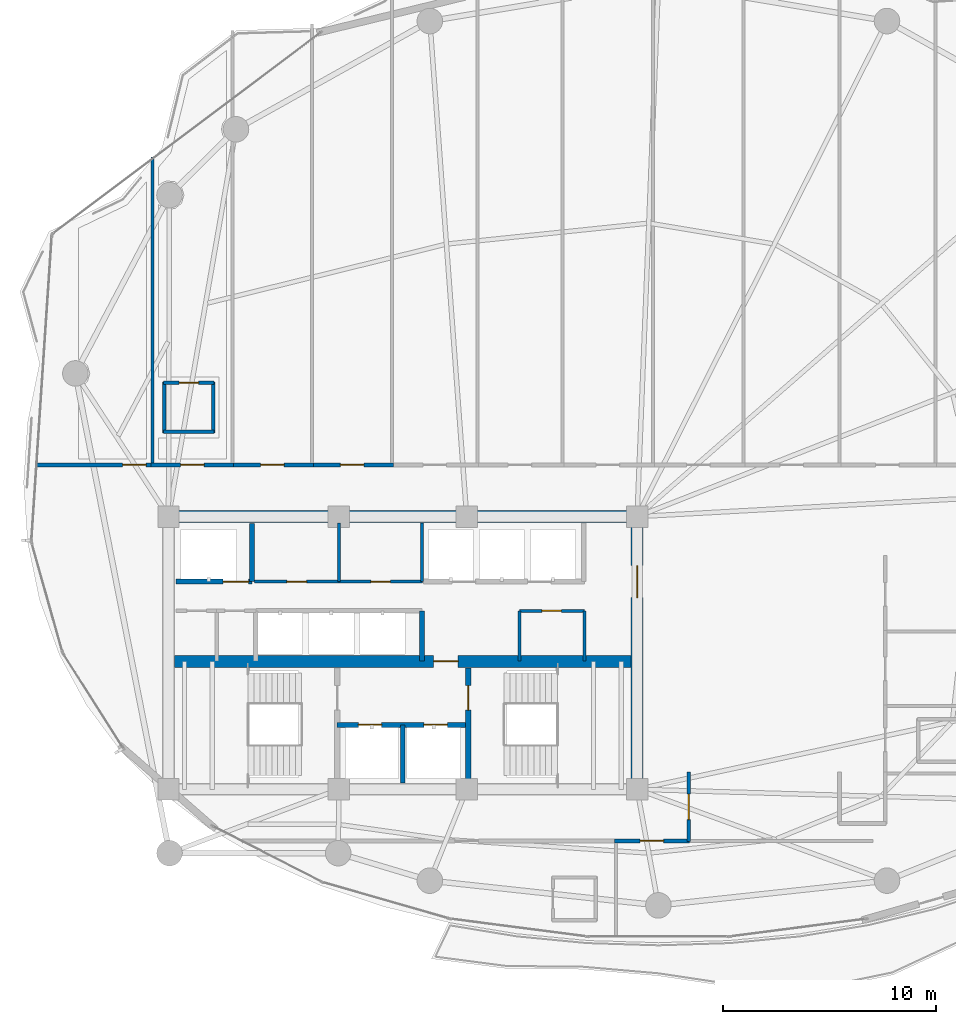
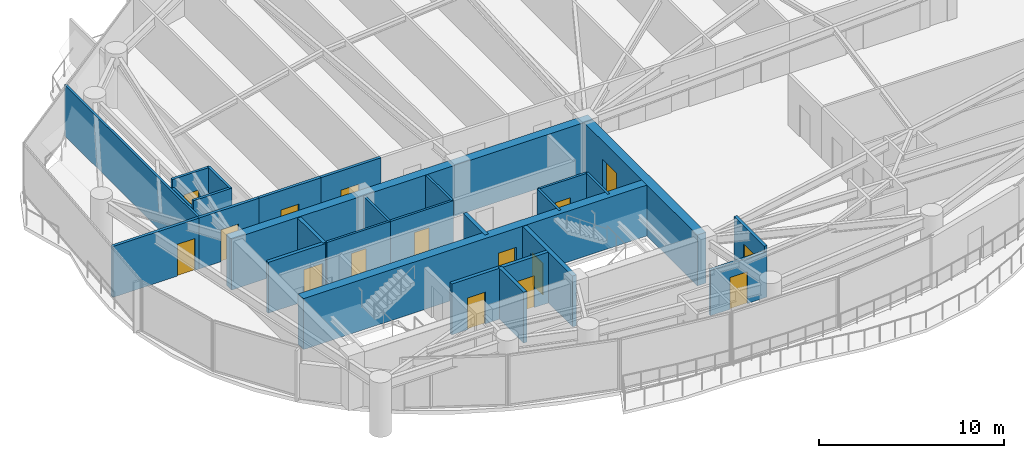
# One storey, part 25 of 31: 27 walls, 16 doors, 16 openings.
"""IFC4 building model written with IfcOpenShell, lengths in metres."""

import ifcopenshell
import ifcopenshell.guid

model = None  # the IFC model being written
_history = None  # IfcOwnerHistory: only IFC2X3 demands one
_inside = {}  # id of a spatial element -> (the spatial element, [elements in it])
_under = {}  # id of a project, library or spatial element -> (it, [spatial elements below it])
_declared = {}  # id of a project -> (the project, [libraries it declares])
_typed = {}  # id of a type object -> (the type object, [elements of that type])
_made_of = {}  # id of a material, layer set ... -> (it, [elements and type objects made of it])


def new_model(schema):
    """Start an empty IFC model of exactly this schema.

    Asked for "IFC4X3", IfcOpenShell would pick the latest addendum, in which some entities
    have other attributes; the version numbers below select the first issue.
    IFC2X3 requires an IfcOwnerHistory on every rooted entity: one is made here for all.
    """
    global model, _history
    if schema == "IFC4X3":
        model = ifcopenshell.file(schema_version=(4, 3, 0, 0))
    else:
        model = ifcopenshell.file(schema=schema)
    _inside.clear()
    _under.clear()
    _declared.clear()
    _typed.clear()
    _made_of.clear()
    _history = None
    if model.schema == "IFC2X3":
        org = make("IfcOrganization", Name="unknown")
        user = make(
            "IfcPersonAndOrganization",
            ThePerson=make("IfcPerson", FamilyName="unknown"),
            TheOrganization=org,
        )
        app = make(
            "IfcApplication",
            ApplicationDeveloper=org,
            Version="unknown",
            ApplicationFullName="unknown",
            ApplicationIdentifier="unknown",
        )
        _history = make(
            "IfcOwnerHistory",
            OwningUser=user,
            OwningApplication=app,
            ChangeAction="ADDED",
            CreationDate=0,
        )
    return model


def make(cls, **values):
    """One entity of the class cls with the attributes given. An attribute that is None is left unset."""
    return model.create_entity(
        cls, **{name: value for name, value in values.items() if value is not None}
    )


def rooted(cls, **values):
    """An entity with a GlobalId (a new one), such as an element, a storey or a relation."""
    return make(cls, GlobalId=ifcopenshell.guid.new(), OwnerHistory=_history, **values)


def si_unit(unit_type, name, prefix=None):
    """IfcSIUnit, for example si_unit("LENGTHUNIT", "METRE", prefix="MILLI")."""
    return make("IfcSIUnit", UnitType=unit_type, Prefix=prefix, Name=name)


def assignment(units):
    """IfcUnitAssignment: the units of a project."""
    return None if units is None else make("IfcUnitAssignment", Units=units)


def point(xyz):
    """IfcCartesianPoint."""
    return None if xyz is None else make("IfcCartesianPoint", Coordinates=xyz)


def direction(xyz):
    """IfcDirection."""
    return None if xyz is None else make("IfcDirection", DirectionRatios=xyz)


def frame(location, z_axis=None, x_axis=None):
    """IfcAxis2Placement3D, a coordinate frame: its origin and axes. An axis left out is left unset."""
    return make(
        "IfcAxis2Placement3D",
        Location=point(location),
        Axis=direction(z_axis),
        RefDirection=direction(x_axis),
    )


def frame_2d(location, x_axis=None):
    """IfcAxis2Placement2D, a coordinate frame in the plane: its origin and x axis."""
    return make(
        "IfcAxis2Placement2D", Location=point(location), RefDirection=direction(x_axis)
    )


def origin():
    """The frame at (0, 0, 0) with its axes left unset."""
    return frame((0.0, 0.0, 0.0))


def place(relative_to, where):
    """IfcLocalPlacement: puts the frame where relative to a parent placement (None: the world)."""
    return make(
        "IfcLocalPlacement", PlacementRelTo=relative_to, RelativePlacement=where
    )


def context(
    kind, dimensions, precision=None, world=None, true_north=None, identifier=None
):
    """IfcGeometricRepresentationContext, for example the 3D "Model" context."""
    return make(
        "IfcGeometricRepresentationContext",
        ContextIdentifier=identifier,
        ContextType=kind,
        CoordinateSpaceDimension=dimensions,
        Precision=precision,
        WorldCoordinateSystem=world,
        TrueNorth=true_north,
    )


def subcontext(parent, identifier, kind, view, scale=None):
    """IfcGeometricRepresentationSubContext, for example "Body" below "Model"."""
    return make(
        "IfcGeometricRepresentationSubContext",
        ContextIdentifier=identifier,
        ContextType=kind,
        ParentContext=parent,
        TargetScale=scale,
        TargetView=view,
    )


def project(units=None, contexts=None):
    """IfcProject with its units and contexts."""
    return rooted(
        "IfcProject",
        Name="project",
        RepresentationContexts=contexts,
        UnitsInContext=assignment(units),
    )


def spatial(cls, under=None, at=None, **own):
    """A site, building, storey or space (cls), placed at a placement, below another one or the project."""
    s = rooted(cls, ObjectPlacement=at, **own)
    if under is not None:
        _under.setdefault(under.id(), (under, []))[1].append(s)
    return s


def profile(cls, at=None, kind="AREA", **sizes):
    """A parametric profile (cls). Its sizes go by their IFC names, for example OverallWidth=200.0."""
    return make(cls, ProfileType=kind, Position=at, **sizes)


def rectangle(**sizes):
    """IfcRectangleProfileDef."""
    return profile("IfcRectangleProfileDef", **sizes)


def extrude(swept, where, along, depth):
    """IfcExtrudedAreaSolid: the profile swept, set in the frame where, extruded along a direction by depth."""
    return make(
        "IfcExtrudedAreaSolid",
        SweptArea=swept,
        Position=where,
        ExtrudedDirection=direction(along),
        Depth=depth,
    )


def shape(context_of_items, identifier, shape_type, items):
    """IfcShapeRepresentation: the items that make up one representation, for example the "Body"."""
    return make(
        "IfcShapeRepresentation",
        ContextOfItems=context_of_items,
        RepresentationIdentifier=identifier,
        RepresentationType=shape_type,
        Items=items,
    )


def material(Name=None, Category=None):
    """IfcMaterial."""
    return make("IfcMaterial", Name=Name, Category=Category)


def layer(
    of_material, thickness, ventilated=None, Name=None, Category=None, Priority=None
):
    """IfcMaterialLayer: one layer of a wall or slab, of a material (None: an air gap)."""
    return make(
        "IfcMaterialLayer",
        Material=of_material,
        LayerThickness=thickness,
        IsVentilated=ventilated,
        Name=Name,
        Category=Category,
        Priority=Priority,
    )


def layer_set(layers, Name=None):
    """IfcMaterialLayerSet."""
    return make("IfcMaterialLayerSet", MaterialLayers=layers, LayerSetName=Name)


def made_of(thing, what):
    """Note that an element or type object is made of a material, layer set ...; save() writes the relation."""
    if what is not None:
        _made_of.setdefault(what.id(), (what, []))[1].append(thing)
    return thing


def type_object(cls, material=None, **own):
    """A type object (cls), such as IfcWallType, which elements share."""
    return made_of(rooted(cls, **own), material)


def element(
    cls,
    number,
    at=None,
    inside=None,
    cuts=None,
    type_object=None,
    material=None,
    context=None,
    identifier="Body",
    shape_type=None,
    held_by="IfcProductDefinitionShape",
    body=None,
    shapes=None,
    **own,
):
    """One element of the class cls, such as IfcWall. Its Tag is "e" and its number.

    at: its placement. inside: the storey or other place that contains it. cuts: it is an
    opening in that element (IfcRelVoidsElement). A single representation is given by context,
    identifier, shape_type and body (its items); several are given by shapes. held_by: the class
    of the entity that holds the representations. save() writes the other relations.
    """
    e = rooted(cls, Tag="e%d" % number, ObjectPlacement=at, **own)
    if body is not None:
        shapes = [shape(context, identifier, shape_type, body)]
    if shapes is not None:
        e.Representation = make(held_by, Representations=shapes)
    if inside is not None:
        _inside.setdefault(inside.id(), (inside, []))[1].append(e)
    if cuts is not None:
        rooted(
            "IfcRelVoidsElement", RelatingBuildingElement=cuts, RelatedOpeningElement=e
        )
    if type_object is not None:
        _typed.setdefault(type_object.id(), (type_object, []))[1].append(e)
    return made_of(e, material)


def fill(opening, filler):
    """IfcRelFillsElement: the door or window that sits in an opening."""
    return rooted(
        "IfcRelFillsElement",
        RelatingOpeningElement=opening,
        RelatedBuildingElement=filler,
    )


def aggregate(whole, parts):
    """IfcRelAggregates: a whole, such as a stair, and the parts it consists of."""
    return rooted("IfcRelAggregates", RelatingObject=whole, RelatedObjects=parts)


def save(model, path):
    """Write the relations noted so far, then the file.

    IfcRelAggregates (storeys below a building ...), IfcRelContainedInSpatialStructure (elements
    in a storey), IfcRelDefinesByType, IfcRelAssociatesMaterial and IfcRelDeclares: one each for
    every whole, place, type object, material and project.
    """
    for whole, parts in _under.values():
        aggregate(whole, parts)
    for where, things in _inside.values():
        rooted(
            "IfcRelContainedInSpatialStructure",
            RelatedElements=things,
            RelatingStructure=where,
        )
    for kind, things in _typed.values():
        rooted("IfcRelDefinesByType", RelatedObjects=things, RelatingType=kind)
    for what, things in _made_of.values():
        rooted("IfcRelAssociatesMaterial", RelatedObjects=things, RelatingMaterial=what)
    for by, libraries in _declared.values():
        rooted("IfcRelDeclares", RelatingContext=by, RelatedDefinitions=libraries)
    model.write(path)


model = new_model("IFC4")

# Units and contexts
model_context = context("Model", 3, precision=1e-05, world=origin(), true_north=direction((0.0, 1.0)))
body_context = subcontext(model_context, "Body", "Model", "MODEL_VIEW")
ifc_project = project(units=[si_unit("LENGTHUNIT", "METRE"), si_unit("AREAUNIT", "SQUARE_METRE"), si_unit("VOLUMEUNIT", "CUBIC_METRE"), si_unit("PLANEANGLEUNIT", "RADIAN"), si_unit("MASSUNIT", "GRAM", prefix="KILO")], contexts=[model_context])

# Site, building, storey
site_placement = place(None, origin())
site = spatial("IfcSite", under=ifc_project, at=site_placement, CompositionType="ELEMENT")
building_placement = place(site_placement, origin())
building = spatial("IfcBuilding", under=site, at=building_placement, Name="Kazevale Care Tower and Concert Hall", CompositionType="ELEMENT")
storey_placement = place(building_placement, frame((0.0, 0.0, 124.199951171875)))
storey = spatial("IfcBuildingStorey", under=building, at=storey_placement, Name="L32", CompositionType="ELEMENT", Elevation=124.199951171875)

# Wall, opening, door
ifc_material_1 = material(Name="Acoustic Gypsum on Steel Stud", Category="steel")
ifc_layer_1 = layer(ifc_material_1, 0.139892578125)
ifc_layer_set_1 = layer_set([ifc_layer_1], Name="Acoustic Gypsum on Steel Stud")
wall_type_1 = type_object("IfcWallType", Name="Acoustic Care & Suite Partition 140", PredefinedType="PARTITIONING", material=ifc_layer_set_1)
wall_1_placement = place(storey_placement, frame((26.050048828125, 33.35009765625, 0.0), z_axis=(0.0, 0.0, 1.0), x_axis=(1.0, 0.0, 0.0)))
wall_1 = element("IfcWall", 1, at=wall_1_placement, inside=storey, type_object=wall_type_1, Name="wall:L32:c_rpl1_s", PredefinedType="PARTITIONING", context=body_context, shape_type="SweptSolid", body=[
    extrude(rectangle(XDim=3.949951171875, YDim=0.139892578125, at=frame_2d((1.97509765625, 0.0))), origin(), (0.0, 0.0, 1.0), 3.360107421875),
])
opening_1_placement = place(wall_1_placement, frame((1.514892578125, 0.0, 0.0)))
opening_1 = element("IfcOpeningElement", 2, at=opening_1_placement, cuts=wall_1, Name="Opening ID-900", PredefinedType="OPENING", context=body_context, shape_type="SweptSolid", body=[
    extrude(rectangle(XDim=0.919921875, YDim=2.10009765625, at=frame_2d((0.4599609375, 1.050048828125))), frame((0.0, 0.079833984375, 0.0), z_axis=(0.0, -1.0, 0.0), x_axis=(1.0, 0.0, 0.0)), (0.0, 0.0, 1.0), 0.159912109375),
])
ifc_material_2 = material(Name="Oak Timber Fire Leaf", Category="wood")
door_type_1 = type_object("IfcDoorType", Name="Bathroom & Service Door 920x2100", OperationType="NOTDEFINED", PredefinedType="DOOR", material=ifc_material_2)
door_1_placement = place(opening_1_placement, origin())
door_1 = element("IfcDoor", 3, at=door_1_placement, inside=storey, type_object=door_type_1, Name="door:L32:d_rpl1", OperationType="SINGLE_SWING_LEFT", OverallHeight=2.10009765625, OverallWidth=0.919921875, PredefinedType="DOOR", context=body_context, shape_type="SweptSolid", body=[
    extrude(rectangle(XDim=0.919921875, YDim=2.10009765625, at=frame_2d((0.4599609375, 1.050048828125))), frame((0.0, 0.02490234375, 0.0), z_axis=(0.0, -1.0, 0.0), x_axis=(1.0, 0.0, 0.0)), (0.0, 0.0, 1.0), 0.050048828125),
])
fill(opening_1, door_1)

wall_2_placement = place(storey_placement, frame((30.0, 33.35009765625, 0.0), z_axis=(0.0, 0.0, 1.0), x_axis=(1.0, 0.0, 0.0)))
wall_2 = element("IfcWall", 4, at=wall_2_placement, inside=storey, type_object=wall_type_1, Name="wall:L32:c_rpl2_s", PredefinedType="PARTITIONING", context=body_context, shape_type="SweptSolid", body=[
    extrude(rectangle(XDim=3.919921875, YDim=0.139892578125, at=frame_2d((1.9599609375, 0.0))), origin(), (0.0, 0.0, 1.0), 3.360107421875),
])
opening_2_placement = place(wall_2_placement, frame((1.5, 0.0, 0.0)))
opening_2 = element("IfcOpeningElement", 5, at=opening_2_placement, cuts=wall_2, Name="Opening ID-900", PredefinedType="OPENING", context=body_context, shape_type="SweptSolid", body=[
    extrude(rectangle(XDim=0.919921875, YDim=2.10009765625, at=frame_2d((0.4599609375, 1.050048828125))), frame((0.0, 0.079833984375, 0.0), z_axis=(0.0, -1.0, 0.0), x_axis=(1.0, 0.0, 0.0)), (0.0, 0.0, 1.0), 0.159912109375),
])
door_2_placement = place(opening_2_placement, origin())
door_2 = element("IfcDoor", 6, at=door_2_placement, inside=storey, type_object=door_type_1, Name="door:L32:d_rpl2", OperationType="SINGLE_SWING_RIGHT", OverallHeight=2.10009765625, OverallWidth=0.919921875, PredefinedType="DOOR", context=body_context, shape_type="SweptSolid", body=[
    extrude(rectangle(XDim=0.919921875, YDim=2.10009765625, at=frame_2d((0.4599609375, 1.050048828125))), frame((0.0, 0.02490234375, 0.0), z_axis=(0.0, -1.0, 0.0), x_axis=(1.0, 0.0, 0.0)), (0.0, 0.0, 1.0), 0.050048828125),
])
fill(opening_2, door_2)

# Walls
for number, where, z_axis, x_axis, name in (
    (7, (30.0, 33.35009765625, 0.0), (0.0, 0.0, 1.0), (0.0, 1.0, 0.0), "wall:L32:c_rpl_m"),
    (8, (33.89990234375, 33.35009765625, 0.0), (0.0, 0.0, 1.0), (0.0, 1.0, 0.0), "wall:L32:c_rpl_e"),
):
    element("IfcWall", number, at=place(storey_placement, frame(where, z_axis=z_axis, x_axis=x_axis)), inside=storey, type_object=wall_type_1, Name=name, PredefinedType="PARTITIONING", context=body_context, shape_type="SweptSolid", body=[
        extrude(rectangle(XDim=2.75, YDim=0.139892578125, at=frame_2d((1.375, 0.0))), origin(), (0.0, 0.0, 1.0), 3.360107421875),
    ])
for number, where, z_axis, x_axis, name in (
    (9, (38.47998046875, 29.6201171875, 0.0), (0.0, 0.0, 1.0), (0.0, 1.0, 0.0), "wall:L32:kb_ew"),
    (10, (41.52001953125, 29.6201171875, 0.0), (0.0, 0.0, 1.0), (0.0, 1.0, 0.0), "wall:L32:kb_ee"),
):
    element("IfcWall", number, at=place(storey_placement, frame(where, z_axis=z_axis, x_axis=x_axis)), inside=storey, type_object=wall_type_1, Name=name, PredefinedType="PARTITIONING", context=body_context, shape_type="SweptSolid", body=[
        extrude(rectangle(XDim=2.35986328125, YDim=0.139892578125, at=frame_2d((1.179931640625, 0.0))), origin(), (0.0, 0.0, 1.0), 3.360107421875),
    ])

# Wall, opening, door
wall_3_placement = place(storey_placement, frame((38.47998046875, 31.97998046875, 0.0), z_axis=(0.0, 0.0, 1.0), x_axis=(1.0, 0.0, 0.0)))
wall_3 = element("IfcWall", 11, at=wall_3_placement, inside=storey, type_object=wall_type_1, Name="wall:L32:kb_en", PredefinedType="PARTITIONING", context=body_context, shape_type="SweptSolid", body=[
    extrude(rectangle(XDim=3.0400390625, YDim=0.139892578125, at=frame_2d((1.52001953125, 0.0))), origin(), (0.0, 0.0, 1.0), 3.360107421875),
])
opening_3_placement = place(wall_3_placement, frame((1.044921875, 0.0, 0.0)))
opening_3 = element("IfcOpeningElement", 12, at=opening_3_placement, cuts=wall_3, Name="Opening ID-900", PredefinedType="OPENING", context=body_context, shape_type="SweptSolid", body=[
    extrude(rectangle(XDim=0.919921875, YDim=2.10009765625, at=frame_2d((0.4599609375, 1.050048828125))), frame((0.0, 0.079833984375, 0.0), z_axis=(0.0, -1.0, 0.0), x_axis=(1.0, 0.0, 0.0)), (0.0, 0.0, 1.0), 0.159912109375),
])
door_3_placement = place(opening_3_placement, origin())
door_3 = element("IfcDoor", 13, at=door_3_placement, inside=storey, type_object=door_type_1, Name="door:L32:d_kbe", OperationType="SINGLE_SWING_LEFT", OverallHeight=2.10009765625, OverallWidth=0.919921875, PredefinedType="DOOR", context=body_context, shape_type="SweptSolid", body=[
    extrude(rectangle(XDim=0.919921875, YDim=2.10009765625, at=frame_2d((0.4599609375, 1.050048828125))), frame((0.0, 0.02490234375, 0.0), z_axis=(0.0, -1.0, 0.0), x_axis=(1.0, 0.0, 0.0)), (0.0, 0.0, 1.0), 0.050048828125),
])
fill(opening_3, door_3)

# Walls
wall_4_placement = place(storey_placement, frame((21.25, 53.27392578125, 0.0), z_axis=(0.0, 0.0, 1.0), x_axis=(0.0, -1.0, 0.0)))
element("IfcWall", 14, at=wall_4_placement, inside=storey, type_object=wall_type_1, Name="wall:L32:auto_022", PredefinedType="PARTITIONING", context=body_context, shape_type="SweptSolid", body=[
    extrude(rectangle(XDim=14.47900390625, YDim=0.139892578125, at=frame_2d((7.239501953125, 0.0))), origin(), (0.0, 0.0, 1.0), 3.360107421875),
])
ifc_material_3 = material(Name="Concrete C60", Category="concrete")
ifc_layer_2 = layer(ifc_material_3, 0.550048828125)
ifc_layer_set_2 = layer_set([ifc_layer_2], Name="Concrete C60")
wall_type_2 = type_object("IfcWallType", Name="Core Shear Wall 550 C60", PredefinedType="SHEAR", material=ifc_layer_set_2)
wall_5_placement = place(storey_placement, frame((21.72509765625, 36.39990234375, 0.0), z_axis=(0.0, 0.0, 1.0), x_axis=(1.0, 0.0, 0.0)))
element("IfcWall", 15, at=wall_5_placement, inside=storey, type_object=wall_type_2, Name="wall:L32:core:N", PredefinedType="SHEAR", context=body_context, shape_type="SweptSolid", body=[
    extrude(rectangle(XDim=22.5498046875, YDim=0.550048828125, at=frame_2d((11.27490234375, 0.0))), origin(), (0.0, 0.0, 1.0), 3.360107421875),
])

# Wall, opening, door
wall_6_placement = place(storey_placement, frame((44.0, 23.875, 0.0), z_axis=(0.0, 0.0, 1.0), x_axis=(0.0, 1.0, 0.0)))
wall_6 = element("IfcWall", 16, at=wall_6_placement, inside=storey, type_object=wall_type_2, Name="wall:L32:core:E", PredefinedType="SHEAR", context=body_context, shape_type="SweptSolid", body=[
    extrude(rectangle(XDim=12.25, YDim=0.550048828125, at=frame_2d((6.125, 0.0))), origin(), (0.0, 0.0, 1.0), 3.360107421875),
])
opening_4_placement = place(wall_6_placement, frame((8.72509765625, 0.0, 0.0)))
opening_4 = element("IfcOpeningElement", 17, at=opening_4_placement, cuts=wall_6, Name="Opening FD-60D", PredefinedType="OPENING", context=body_context, shape_type="SweptSolid", body=[
    extrude(rectangle(XDim=1.5, YDim=2.14990234375, at=frame_2d((0.75, 1.074951171875))), frame((0.0, 0.284912109375, 0.0), z_axis=(0.0, -1.0, 0.0), x_axis=(1.0, 0.0, 0.0)), (0.0, 0.0, 1.0), 0.570068359375),
])
door_type_2 = type_object("IfcDoorType", Name="Double Lobby & Auditorium Fire Door 1500x2150", OperationType="NOTDEFINED", PredefinedType="DOOR", material=ifc_material_2)
door_4_placement = place(opening_4_placement, origin())
door_4 = element("IfcDoor", 18, at=door_4_placement, inside=storey, type_object=door_type_2, Name="door:L32:core_east_out", OperationType="DOUBLE_DOOR_SINGLE_SWING", OverallHeight=2.14990234375, OverallWidth=1.5, PredefinedType="DOOR", context=body_context, shape_type="SweptSolid", body=[
    extrude(rectangle(XDim=1.5, YDim=2.14990234375, at=frame_2d((0.75, 1.074951171875))), frame((0.0, 0.02490234375, 0.0), z_axis=(0.0, -1.0, 0.0), x_axis=(1.0, 0.0, 0.0)), (0.0, 0.0, 1.0), 0.050048828125),
])
fill(opening_4, door_4)

wall_7_placement = place(storey_placement, frame((22.27490234375, 29.60009765625, 0.0), z_axis=(0.0, 0.0, 1.0), x_axis=(1.0, 0.0, 0.0)))
wall_7 = element("IfcWall", 19, at=wall_7_placement, inside=storey, type_object=wall_type_2, Name="wall:L32:core:M", PredefinedType="SHEAR", context=body_context, shape_type="SweptSolid", body=[
    extrude(rectangle(XDim=21.4501953125, YDim=0.550048828125, at=frame_2d((10.72509765625, 0.0))), origin(), (0.0, 0.0, 1.0), 3.360107421875),
])
opening_5_placement = place(wall_7_placement, frame((12.175048828125, 0.0, 0.0)))
opening_5 = element("IfcOpeningElement", 20, at=opening_5_placement, cuts=wall_7, Name="Opening FD-90", PredefinedType="OPENING", context=body_context, shape_type="SweptSolid", body=[
    extrude(rectangle(XDim=1.14990234375, YDim=2.10009765625, at=frame_2d((0.574951171875, 1.050048828125))), frame((0.0, 0.284912109375, 0.0), z_axis=(0.0, -1.0, 0.0), x_axis=(1.0, 0.0, 0.0)), (0.0, 0.0, 1.0), 0.570068359375),
])
ifc_material_4 = material(Name="Steel ASTM A572 Gr 50", Category="steel")
door_type_3 = type_object("IfcDoorType", Name="Pressurized Stair & Lobby Fire Door 1150x2100", OperationType="NOTDEFINED", PredefinedType="DOOR", material=ifc_material_4)
door_5_placement = place(opening_5_placement, origin())
door_5 = element("IfcDoor", 21, at=door_5_placement, inside=storey, type_object=door_type_3, Name="door:L32:ff_to_pax", OperationType="SINGLE_SWING_LEFT", OverallHeight=2.10009765625, OverallWidth=1.14990234375, PredefinedType="DOOR", context=body_context, shape_type="SweptSolid", body=[
    extrude(rectangle(XDim=1.14990234375, YDim=2.10009765625, at=frame_2d((0.574951171875, 1.050048828125))), frame((0.0, 0.02490234375, 0.0), z_axis=(0.0, -1.0, 0.0), x_axis=(1.0, 0.0, 0.0)), (0.0, 0.0, 1.0), 0.050048828125),
])
fill(opening_5, door_5)

# Wall, openings, doors
ifc_material_5 = material(Name="Concrete C40", Category="concrete")
ifc_layer_3 = layer(ifc_material_5, 0.219970703125)
ifc_layer_set_3 = layer_set([ifc_layer_3], Name="Concrete C40")
wall_type_3 = type_object("IfcWallType", Name="Elevator Hoistway Shaft Wall 220", PredefinedType="SOLIDWALL", material=ifc_layer_set_3)
wall_8_placement = place(storey_placement, frame((29.919921875, 26.6201171875, 0.0), z_axis=(0.0, 0.0, 1.0), x_axis=(1.0, 0.0, 0.0)))
wall_8 = element("IfcWall", 22, at=wall_8_placement, inside=storey, type_object=wall_type_3, Name="wall:L32:c_ffl_n", PredefinedType="SOLIDWALL", context=body_context, shape_type="SweptSolid", body=[
    extrude(rectangle(XDim=6.16015625, YDim=0.219970703125, at=frame_2d((3.080078125, 0.0))), origin(), (0.0, 0.0, 1.0), 3.360107421875),
])
opening_6_placement = place(wall_8_placement, frame((0.989990234375, 0.0, 0.0)))
opening_6 = element("IfcOpeningElement", 23, at=opening_6_placement, cuts=wall_8, Name="Opening LD-FF", PredefinedType="OPENING", context=body_context, shape_type="SweptSolid", body=[
    extrude(rectangle(XDim=1.10009765625, YDim=2.10009765625, at=frame_2d((0.550048828125, 1.050048828125))), frame((0.0, 0.119873046875, 0.0), z_axis=(0.0, -1.0, 0.0), x_axis=(1.0, 0.0, 0.0)), (0.0, 0.0, 1.0), 0.239990234375),
])
opening_7_placement = place(wall_8_placement, frame((4.070068359375, 0.0, 0.0)))
opening_7 = element("IfcOpeningElement", 24, at=opening_7_placement, cuts=wall_8, Name="Opening LD-FF", PredefinedType="OPENING", context=body_context, shape_type="SweptSolid", body=[
    extrude(rectangle(XDim=1.10009765625, YDim=2.10009765625, at=frame_2d((0.550048828125, 1.050048828125))), frame((0.0, 0.119873046875, 0.0), z_axis=(0.0, -1.0, 0.0), x_axis=(1.0, 0.0, 0.0)), (0.0, 0.0, 1.0), 0.239990234375),
])
ifc_material_6 = material(Name="Stainless Steel 316", Category="steel")
door_type_4 = type_object("IfcDoorType", Name="Emergency Lift Sliding Landing Door 1100x2100", OperationType="NOTDEFINED", PredefinedType="DOOR", material=ifc_material_6)
door_6_placement = place(opening_6_placement, origin())
door_6 = element("IfcDoor", 25, at=door_6_placement, inside=storey, type_object=door_type_4, Name="door:L32:ld_ffl1", OperationType="SLIDING_TO_LEFT", OverallHeight=2.10009765625, OverallWidth=1.10009765625, PredefinedType="DOOR", context=body_context, shape_type="SweptSolid", body=[
    extrude(rectangle(XDim=1.10009765625, YDim=2.10009765625, at=frame_2d((0.550048828125, 1.050048828125))), frame((0.0, 0.02490234375, 0.0), z_axis=(0.0, -1.0, 0.0), x_axis=(1.0, 0.0, 0.0)), (0.0, 0.0, 1.0), 0.050048828125),
])
fill(opening_6, door_6)
door_7_placement = place(opening_7_placement, origin())
door_7 = element("IfcDoor", 26, at=door_7_placement, inside=storey, type_object=door_type_4, Name="door:L32:ld_ffl2", OperationType="SLIDING_TO_RIGHT", OverallHeight=2.10009765625, OverallWidth=1.10009765625, PredefinedType="DOOR", context=body_context, shape_type="SweptSolid", body=[
    extrude(rectangle(XDim=1.10009765625, YDim=2.10009765625, at=frame_2d((0.550048828125, 1.050048828125))), frame((0.0, 0.02490234375, 0.0), z_axis=(0.0, -1.0, 0.0), x_axis=(1.0, 0.0, 0.0)), (0.0, 0.0, 1.0), 0.050048828125),
])
fill(opening_7, door_7)

# Walls
wall_9_placement = place(storey_placement, frame((33.0, 23.89990234375, 0.0), z_axis=(0.0, 0.0, 1.0), x_axis=(0.0, 1.0, 0.0)))
element("IfcWall", 27, at=wall_9_placement, inside=storey, type_object=wall_type_3, Name="wall:L32:c_ffl_m", PredefinedType="SOLIDWALL", context=body_context, shape_type="SweptSolid", body=[
    extrude(rectangle(XDim=2.72021484375, YDim=0.219970703125, at=frame_2d((1.360107421875, 0.0))), origin(), (0.0, 0.0, 1.0), 3.360107421875),
])
wall_10_placement = place(storey_placement, frame((25.919921875, 33.35009765625, 0.0), z_axis=(0.0, 0.0, 1.0), x_axis=(0.0, 1.0, 0.0)))
element("IfcWall", 28, at=wall_10_placement, inside=storey, type_object=wall_type_3, Name="wall:L32:c_svl_e", PredefinedType="SOLIDWALL", context=body_context, shape_type="SweptSolid", body=[
    extrude(rectangle(XDim=2.72998046875, YDim=0.219970703125, at=frame_2d((1.364990234375, 0.0))), origin(), (0.0, 0.0, 1.0), 3.360107421875),
])

# Wall, opening, door
wall_11_placement = place(storey_placement, frame((22.35009765625, 33.35009765625, 0.0), z_axis=(0.0, 0.0, 1.0), x_axis=(1.0, 0.0, 0.0)))
wall_11 = element("IfcWall", 29, at=wall_11_placement, inside=storey, type_object=wall_type_3, Name="wall:L32:c_svl_s", PredefinedType="SOLIDWALL", context=body_context, shape_type="SweptSolid", body=[
    extrude(rectangle(XDim=3.56982421875, YDim=0.219970703125, at=frame_2d((1.784912109375, 0.0))), origin(), (0.0, 0.0, 1.0), 3.360107421875),
])
opening_8_placement = place(wall_11_placement, frame((2.212890625, 0.0, 0.0)))
opening_8 = element("IfcOpeningElement", 30, at=opening_8_placement, cuts=wall_11, Name="Opening LD-SV", PredefinedType="OPENING", context=body_context, shape_type="SweptSolid", body=[
    extrude(rectangle(XDim=1.199951171875, YDim=2.10009765625, at=frame_2d((0.60009765625, 1.050048828125))), frame((0.0, 0.119873046875, 0.0), z_axis=(0.0, -1.0, 0.0), x_axis=(1.0, 0.0, 0.0)), (0.0, 0.0, 1.0), 0.239990234375),
])
door_type_5 = type_object("IfcDoorType", Name="Service Lift Sliding Landing Door 1200x2100", OperationType="NOTDEFINED", PredefinedType="DOOR", material=ifc_material_6)
door_8_placement = place(opening_8_placement, origin())
door_8 = element("IfcDoor", 31, at=door_8_placement, inside=storey, type_object=door_type_5, Name="door:L32:ld_svl1", OperationType="SLIDING_TO_LEFT", OverallHeight=2.10009765625, OverallWidth=1.199951171875, PredefinedType="DOOR", context=body_context, shape_type="SweptSolid", body=[
    extrude(rectangle(XDim=1.199951171875, YDim=2.10009765625, at=frame_2d((0.60009765625, 1.050048828125))), frame((0.0, 0.02490234375, 0.0), z_axis=(0.0, -1.0, 0.0), x_axis=(1.0, 0.0, 0.0)), (0.0, 0.0, 1.0), 0.050048828125),
])
fill(opening_8, door_8)

# Wall
wall_12_placement = place(storey_placement, frame((33.89990234375, 29.6201171875, 0.0), z_axis=(0.0, 0.0, 1.0), x_axis=(0.0, 1.0, 0.0)))
element("IfcWall", 32, at=wall_12_placement, inside=storey, type_object=wall_type_3, Name="wall:L32:c_ph_e", PredefinedType="SOLIDWALL", context=body_context, shape_type="SweptSolid", body=[
    extrude(rectangle(XDim=2.35986328125, YDim=0.219970703125, at=frame_2d((1.179931640625, 0.0))), origin(), (0.0, 0.0, 1.0), 3.360107421875),
])

# Wall, opening, door
ifc_material_7 = material(Name="Concrete C40 and Acoustic Gypsum", Category="concrete")
ifc_layer_4 = layer(ifc_material_7, 0.179931640625)
ifc_layer_set_4 = layer_set([ifc_layer_4], Name="Concrete C40 and Acoustic Gypsum")
wall_type_4 = type_object("IfcWallType", Name="Fire-Rated Corridor & Party Wall 180", PredefinedType="PARTITIONING", material=ifc_layer_set_4)
wall_13_placement = place(storey_placement, frame((15.816650390625, 38.824951171875, 0.0), z_axis=(0.0, 0.0, 1.0), x_axis=(1.0, 0.0, 0.0)))
wall_13 = element("IfcWall", 33, at=wall_13_placement, inside=storey, type_object=wall_type_4, Name="wall:L32:auto_001", PredefinedType="PARTITIONING", context=body_context, shape_type="SweptSolid", body=[
    extrude(rectangle(XDim=5.498291015625, YDim=0.179931640625, at=frame_2d((2.7490234375, 0.0))), origin(), (0.0, 0.0, 1.0), 3.360107421875),
])
opening_9_placement = place(wall_13_placement, frame((4.0380859375, 0.0, 0.0)))
opening_9 = element("IfcOpeningElement", 34, at=opening_9_placement, cuts=wall_13, Name="Opening ID-1100", PredefinedType="OPENING", context=body_context, shape_type="SweptSolid", body=[
    extrude(rectangle(XDim=1.10009765625, YDim=2.10009765625, at=frame_2d((0.550048828125, 1.050048828125))), frame((0.0, 0.099853515625, 0.0), z_axis=(0.0, -1.0, 0.0), x_axis=(1.0, 0.0, 0.0)), (0.0, 0.0, 1.0), 0.199951171875),
])
door_type_6 = type_object("IfcDoorType", Name="Care Bedroom Accessible Door 1100x2100", OperationType="NOTDEFINED", PredefinedType="DOOR", material=ifc_material_2)
door_9_placement = place(opening_9_placement, origin())
door_9 = element("IfcDoor", 35, at=door_9_placement, inside=storey, type_object=door_type_6, Name="door:L32:ad_001", OperationType="SINGLE_SWING_LEFT", OverallHeight=2.10009765625, OverallWidth=1.10009765625, PredefinedType="DOOR", context=body_context, shape_type="SweptSolid", body=[
    extrude(rectangle(XDim=1.10009765625, YDim=2.10009765625, at=frame_2d((0.550048828125, 1.050048828125))), frame((0.0, 0.02490234375, 0.0), z_axis=(0.0, -1.0, 0.0), x_axis=(1.0, 0.0, 0.0)), (0.0, 0.0, 1.0), 0.050048828125),
])
fill(opening_9, door_9)

wall_14_placement = place(storey_placement, frame((21.18505859375, 38.824951171875, 0.0), z_axis=(0.0, 0.0, 1.0), x_axis=(1.0, 0.0, 0.0)))
wall_14 = element("IfcWall", 36, at=wall_14_placement, inside=storey, type_object=wall_type_4, Name="wall:L32:auto_002", PredefinedType="PARTITIONING", context=body_context, shape_type="SweptSolid", body=[
    extrude(rectangle(XDim=3.8798828125, YDim=0.179931640625, at=frame_2d((1.93994140625, 0.0))), origin(), (0.0, 0.0, 1.0), 3.360107421875),
])
opening_10_placement = place(wall_14_placement, frame((1.389892578125, 0.0, 0.0)))
opening_10 = element("IfcOpeningElement", 37, at=opening_10_placement, cuts=wall_14, Name="Opening ID-1100", PredefinedType="OPENING", context=body_context, shape_type="SweptSolid", body=[
    extrude(rectangle(XDim=1.10009765625, YDim=2.10009765625, at=frame_2d((0.550048828125, 1.050048828125))), frame((0.0, 0.099853515625, 0.0), z_axis=(0.0, -1.0, 0.0), x_axis=(1.0, 0.0, 0.0)), (0.0, 0.0, 1.0), 0.199951171875),
])
door_10_placement = place(opening_10_placement, origin())
door_10 = element("IfcDoor", 38, at=door_10_placement, inside=storey, type_object=door_type_6, Name="door:L32:ad_002", OperationType="SINGLE_SWING_LEFT", OverallHeight=2.10009765625, OverallWidth=1.10009765625, PredefinedType="DOOR", context=body_context, shape_type="SweptSolid", body=[
    extrude(rectangle(XDim=1.10009765625, YDim=2.10009765625, at=frame_2d((0.550048828125, 1.050048828125))), frame((0.0, 0.02490234375, 0.0), z_axis=(0.0, -1.0, 0.0), x_axis=(1.0, 0.0, 0.0)), (0.0, 0.0, 1.0), 0.050048828125),
])
fill(opening_10, door_10)

wall_15_placement = place(storey_placement, frame((24.93505859375, 38.824951171875, 0.0), z_axis=(0.0, 0.0, 1.0), x_axis=(1.0, 0.0, 0.0)))
wall_15 = element("IfcWall", 39, at=wall_15_placement, inside=storey, type_object=wall_type_4, Name="wall:L32:auto_003", PredefinedType="PARTITIONING", context=body_context, shape_type="SweptSolid", body=[
    extrude(rectangle(XDim=3.8798828125, YDim=0.179931640625, at=frame_2d((1.93994140625, 0.0))), origin(), (0.0, 0.0, 1.0), 3.360107421875),
])
opening_11_placement = place(wall_15_placement, frame((1.389892578125, 0.0, 0.0)))
opening_11 = element("IfcOpeningElement", 40, at=opening_11_placement, cuts=wall_15, Name="Opening ID-1100", PredefinedType="OPENING", context=body_context, shape_type="SweptSolid", body=[
    extrude(rectangle(XDim=1.10009765625, YDim=2.10009765625, at=frame_2d((0.550048828125, 1.050048828125))), frame((0.0, 0.099853515625, 0.0), z_axis=(0.0, -1.0, 0.0), x_axis=(1.0, 0.0, 0.0)), (0.0, 0.0, 1.0), 0.199951171875),
])
door_11_placement = place(opening_11_placement, origin())
door_11 = element("IfcDoor", 41, at=door_11_placement, inside=storey, type_object=door_type_6, Name="door:L32:ad_003", OperationType="SINGLE_SWING_LEFT", OverallHeight=2.10009765625, OverallWidth=1.10009765625, PredefinedType="DOOR", context=body_context, shape_type="SweptSolid", body=[
    extrude(rectangle(XDim=1.10009765625, YDim=2.10009765625, at=frame_2d((0.550048828125, 1.050048828125))), frame((0.0, 0.02490234375, 0.0), z_axis=(0.0, -1.0, 0.0), x_axis=(1.0, 0.0, 0.0)), (0.0, 0.0, 1.0), 0.050048828125),
])
fill(opening_11, door_11)

wall_16_placement = place(storey_placement, frame((28.68505859375, 38.824951171875, 0.0), z_axis=(0.0, 0.0, 1.0), x_axis=(1.0, 0.0, 0.0)))
wall_16 = element("IfcWall", 42, at=wall_16_placement, inside=storey, type_object=wall_type_4, Name="wall:L32:auto_004", PredefinedType="PARTITIONING", context=body_context, shape_type="SweptSolid", body=[
    extrude(rectangle(XDim=3.8798828125, YDim=0.179931640625, at=frame_2d((1.93994140625, 0.0))), origin(), (0.0, 0.0, 1.0), 3.360107421875),
])
opening_12_placement = place(wall_16_placement, frame((1.389892578125, 0.0, 0.0)))
opening_12 = element("IfcOpeningElement", 43, at=opening_12_placement, cuts=wall_16, Name="Opening ID-1100", PredefinedType="OPENING", context=body_context, shape_type="SweptSolid", body=[
    extrude(rectangle(XDim=1.10009765625, YDim=2.10009765625, at=frame_2d((0.550048828125, 1.050048828125))), frame((0.0, 0.099853515625, 0.0), z_axis=(0.0, -1.0, 0.0), x_axis=(1.0, 0.0, 0.0)), (0.0, 0.0, 1.0), 0.199951171875),
])
door_12_placement = place(opening_12_placement, origin())
door_12 = element("IfcDoor", 44, at=door_12_placement, inside=storey, type_object=door_type_6, Name="door:L32:ad_004", OperationType="SINGLE_SWING_LEFT", OverallHeight=2.10009765625, OverallWidth=1.10009765625, PredefinedType="DOOR", context=body_context, shape_type="SweptSolid", body=[
    extrude(rectangle(XDim=1.10009765625, YDim=2.10009765625, at=frame_2d((0.550048828125, 1.050048828125))), frame((0.0, 0.02490234375, 0.0), z_axis=(0.0, -1.0, 0.0), x_axis=(1.0, 0.0, 0.0)), (0.0, 0.0, 1.0), 0.050048828125),
])
fill(opening_12, door_12)

wall_17_placement = place(storey_placement, frame((46.425048828125, 24.405029296875, 0.0), z_axis=(0.0, 0.0, 1.0), x_axis=(0.0, -1.0, 0.0)))
wall_17 = element("IfcWall", 45, at=wall_17_placement, inside=storey, type_object=wall_type_4, Name="wall:L32:auto_013", PredefinedType="PARTITIONING", context=body_context, shape_type="SweptSolid", body=[
    extrude(rectangle(XDim=3.260009765625, YDim=0.179931640625, at=frame_2d((1.6298828125, 0.0))), origin(), (0.0, 0.0, 1.0), 3.360107421875),
])
opening_13_placement = place(wall_17_placement, frame((1.030029296875, 0.0, 0.0)))
opening_13 = element("IfcOpeningElement", 46, at=opening_13_placement, cuts=wall_17, Name="Opening ID-1200", PredefinedType="OPENING", context=body_context, shape_type="SweptSolid", body=[
    extrude(rectangle(XDim=1.199951171875, YDim=2.14990234375, at=frame_2d((0.60009765625, 1.074951171875))), frame((0.0, 0.099853515625, 0.0), z_axis=(0.0, -1.0, 0.0), x_axis=(1.0, 0.0, 0.0)), (0.0, 0.0, 1.0), 0.199951171875),
])
door_type_7 = type_object("IfcDoorType", Name="Clinical & Therapy Door 1200x2150", OperationType="NOTDEFINED", PredefinedType="DOOR", material=ifc_material_2)
door_13_placement = place(opening_13_placement, origin())
door_13 = element("IfcDoor", 47, at=door_13_placement, inside=storey, type_object=door_type_7, Name="door:L32:ad_013", OperationType="SINGLE_SWING_LEFT", OverallHeight=2.14990234375, OverallWidth=1.199951171875, PredefinedType="DOOR", context=body_context, shape_type="SweptSolid", body=[
    extrude(rectangle(XDim=1.199951171875, YDim=2.14990234375, at=frame_2d((0.60009765625, 1.074951171875))), frame((0.0, 0.02490234375, 0.0), z_axis=(0.0, -1.0, 0.0), x_axis=(1.0, 0.0, 0.0)), (0.0, 0.0, 1.0), 0.050048828125),
])
fill(opening_13, door_13)

wall_18_placement = place(storey_placement, frame((46.455078125, 21.175048828125, 0.0), z_axis=(0.0, 0.0, 1.0), x_axis=(-1.0, 0.0, 0.0)))
wall_18 = element("IfcWall", 48, at=wall_18_placement, inside=storey, type_object=wall_type_4, Name="wall:L32:auto_021", PredefinedType="PARTITIONING", context=body_context, shape_type="SweptSolid", body=[
    extrude(rectangle(XDim=3.52001953125, YDim=0.179931640625, at=frame_2d((1.760009765625, 0.0))), origin(), (0.0, 0.0, 1.0), 2.99609375),
])
opening_14_placement = place(wall_18_placement, frame((1.2099609375, 0.0, 0.0)))
opening_14 = element("IfcOpeningElement", 49, at=opening_14_placement, cuts=wall_18, Name="Opening ID-1100", PredefinedType="OPENING", context=body_context, shape_type="SweptSolid", body=[
    extrude(rectangle(XDim=1.10009765625, YDim=2.10009765625, at=frame_2d((0.550048828125, 1.050048828125))), frame((0.0, 0.099853515625, 0.0), z_axis=(0.0, -1.0, 0.0), x_axis=(1.0, 0.0, 0.0)), (0.0, 0.0, 1.0), 0.199951171875),
])
door_14_placement = place(opening_14_placement, origin())
door_14 = element("IfcDoor", 50, at=door_14_placement, inside=storey, type_object=door_type_6, Name="door:L32:ad_021", OperationType="SINGLE_SWING_LEFT", OverallHeight=2.10009765625, OverallWidth=1.10009765625, PredefinedType="DOOR", context=body_context, shape_type="SweptSolid", body=[
    extrude(rectangle(XDim=1.10009765625, YDim=2.10009765625, at=frame_2d((0.550048828125, 1.050048828125))), frame((0.0, 0.02490234375, 0.0), z_axis=(0.0, -1.0, 0.0), x_axis=(1.0, 0.0, 0.0)), (0.0, 0.0, 1.0), 0.050048828125),
])
fill(opening_14, door_14)

# Wall
ifc_layer_5 = layer(ifc_material_1, 0.159912109375)
ifc_layer_set_5 = layer_set([ifc_layer_5], Name="Acoustic Gypsum on Steel Stud")
wall_type_5 = type_object("IfcWallType", Name="Moisture-Resistant Bathroom Plumbing Wall 160", PredefinedType="PLUMBINGWALL", material=ifc_layer_set_5)
wall_19_placement = place(storey_placement, frame((21.760009765625, 40.375, 0.0), z_axis=(0.0, 0.0, 1.0), x_axis=(1.0, 0.0, 0.0)))
element("IfcWall", 51, at=wall_19_placement, inside=storey, type_object=wall_type_5, Name="wall:L32:nb2b_ens_ws", PredefinedType="PLUMBINGWALL", context=body_context, shape_type="SweptSolid", body=[
    extrude(rectangle(XDim=2.3798828125, YDim=0.159912109375, at=frame_2d((1.18994140625, 0.0))), origin(), (0.0, 0.0, 1.0), 3.360107421875),
])

# Wall, opening, door
wall_20_placement = place(storey_placement, frame((21.760009765625, 42.675048828125, 0.0), z_axis=(0.0, 0.0, 1.0), x_axis=(1.0, 0.0, 0.0)))
wall_20 = element("IfcWall", 52, at=wall_20_placement, inside=storey, type_object=wall_type_5, Name="wall:L32:nb2b_ens_wn", PredefinedType="PLUMBINGWALL", context=body_context, shape_type="SweptSolid", body=[
    extrude(rectangle(XDim=2.3798828125, YDim=0.159912109375, at=frame_2d((1.18994140625, 0.0))), origin(), (0.0, 0.0, 1.0), 3.360107421875),
])
opening_15_placement = place(wall_20_placement, frame((0.739990234375, 0.0, 0.0)))
opening_15 = element("IfcOpeningElement", 53, at=opening_15_placement, cuts=wall_20, Name="Opening ID-900", PredefinedType="OPENING", context=body_context, shape_type="SweptSolid", body=[
    extrude(rectangle(XDim=0.919921875, YDim=2.10009765625, at=frame_2d((0.4599609375, 1.050048828125))), frame((0.0, 0.08984375, 0.0), z_axis=(0.0, -1.0, 0.0), x_axis=(1.0, 0.0, 0.0)), (0.0, 0.0, 1.0), 0.179931640625),
])
door_15_placement = place(opening_15_placement, origin())
door_15 = element("IfcDoor", 54, at=door_15_placement, inside=storey, type_object=door_type_1, Name="door:L32:nb2b_ens_d", OperationType="SINGLE_SWING_LEFT", OverallHeight=2.10009765625, OverallWidth=0.919921875, PredefinedType="DOOR", context=body_context, shape_type="SweptSolid", body=[
    extrude(rectangle(XDim=0.919921875, YDim=2.10009765625, at=frame_2d((0.4599609375, 1.050048828125))), frame((0.0, 0.02490234375, 0.0), z_axis=(0.0, -1.0, 0.0), x_axis=(1.0, 0.0, 0.0)), (0.0, 0.0, 1.0), 0.050048828125),
])
fill(opening_15, door_15)

# Walls
wall_21_placement = place(storey_placement, frame((21.800048828125, 40.3349609375, 0.0), z_axis=(0.0, 0.0, 1.0), x_axis=(0.0, 1.0, 0.0)))
element("IfcWall", 55, at=wall_21_placement, inside=storey, type_object=wall_type_5, Name="wall:L32:nb2b_ens_ww", PredefinedType="PLUMBINGWALL", context=body_context, shape_type="SweptSolid", body=[
    extrude(rectangle(XDim=2.380126953125, YDim=0.159912109375, at=frame_2d((1.18994140625, 0.0))), origin(), (0.0, 0.0, 1.0), 2.80615234375),
])
wall_22_placement = place(storey_placement, frame((24.10009765625, 40.3349609375, 0.0), z_axis=(0.0, 0.0, 1.0), x_axis=(0.0, 1.0, 0.0)))
element("IfcWall", 56, at=wall_22_placement, inside=storey, type_object=wall_type_5, Name="wall:L32:nb2b_ens_we", PredefinedType="PLUMBINGWALL", context=body_context, shape_type="SweptSolid", body=[
    extrude(rectangle(XDim=2.380126953125, YDim=0.159912109375, at=frame_2d((1.18994140625, 0.0))), origin(), (0.0, 0.0, 1.0), 3.360107421875),
])

# Wall, opening, door
ifc_layer_6 = layer(ifc_material_5, 0.25)
ifc_layer_set_6 = layer_set([ifc_layer_6], Name="Concrete C40")
wall_type_6 = type_object("IfcWallType", Name="Pressurized Stair Shaft Wall 250", PredefinedType="SOLIDWALL", material=ifc_layer_set_6)
wall_23_placement = place(storey_placement, frame((36.080078125, 23.89990234375, 0.0), z_axis=(0.0, 0.0, 1.0), x_axis=(0.0, 1.0, 0.0)))
wall_23 = element("IfcWall", 57, at=wall_23_placement, inside=storey, type_object=wall_type_6, Name="wall:L32:c_st2_w", PredefinedType="SOLIDWALL", context=body_context, shape_type="SweptSolid", body=[
    extrude(rectangle(XDim=5.400146484375, YDim=0.25, at=frame_2d((2.7001953125, 0.0))), origin(), (0.0, 0.0, 1.0), 3.360107421875),
])
opening_16_placement = place(wall_23_placement, frame((3.4208984375, 0.0, 0.0)))
opening_16 = element("IfcOpeningElement", 58, at=opening_16_placement, cuts=wall_23, Name="Opening FD-90", PredefinedType="OPENING", context=body_context, shape_type="SweptSolid", body=[
    extrude(rectangle(XDim=1.14990234375, YDim=2.10009765625, at=frame_2d((0.574951171875, 1.050048828125))), frame((0.0, 0.135009765625, 0.0), z_axis=(0.0, -1.0, 0.0), x_axis=(1.0, 0.0, 0.0)), (0.0, 0.0, 1.0), 0.27001953125),
])
door_16_placement = place(opening_16_placement, origin())
door_16 = element("IfcDoor", 59, at=door_16_placement, inside=storey, type_object=door_type_3, Name="door:L32:st2", OperationType="SINGLE_SWING_LEFT", OverallHeight=2.10009765625, OverallWidth=1.14990234375, PredefinedType="DOOR", context=body_context, shape_type="SweptSolid", body=[
    extrude(rectangle(XDim=1.14990234375, YDim=2.10009765625, at=frame_2d((0.574951171875, 1.050048828125))), frame((0.0, 0.02490234375, 0.0), z_axis=(0.0, -1.0, 0.0), x_axis=(1.0, 0.0, 0.0)), (0.0, 0.0, 1.0), 0.050048828125),
])
fill(opening_16, door_16)

save(model, "model.ifc")
